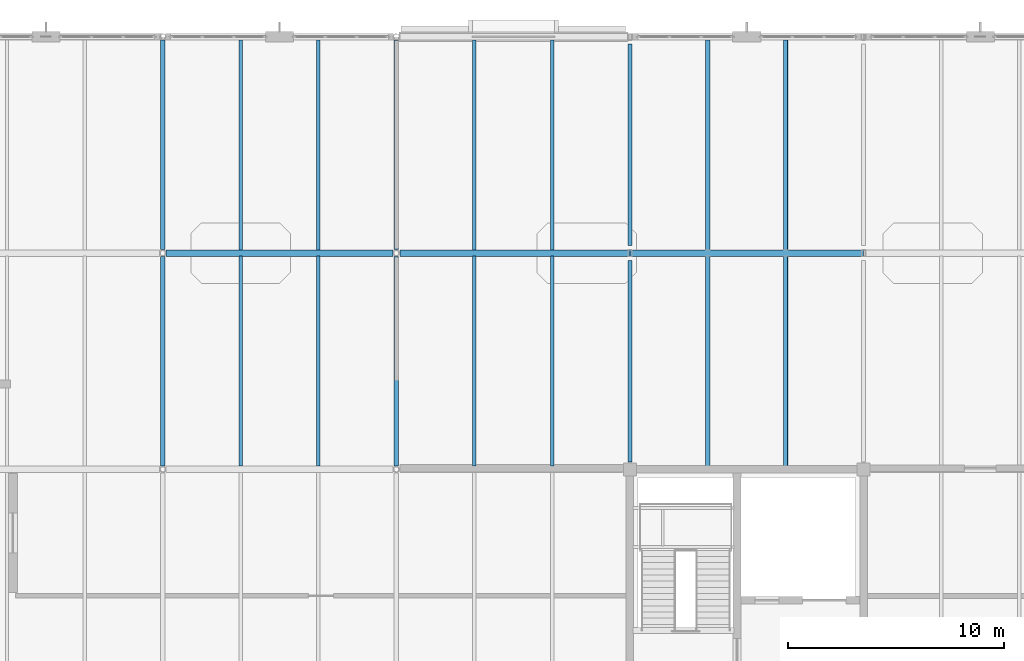
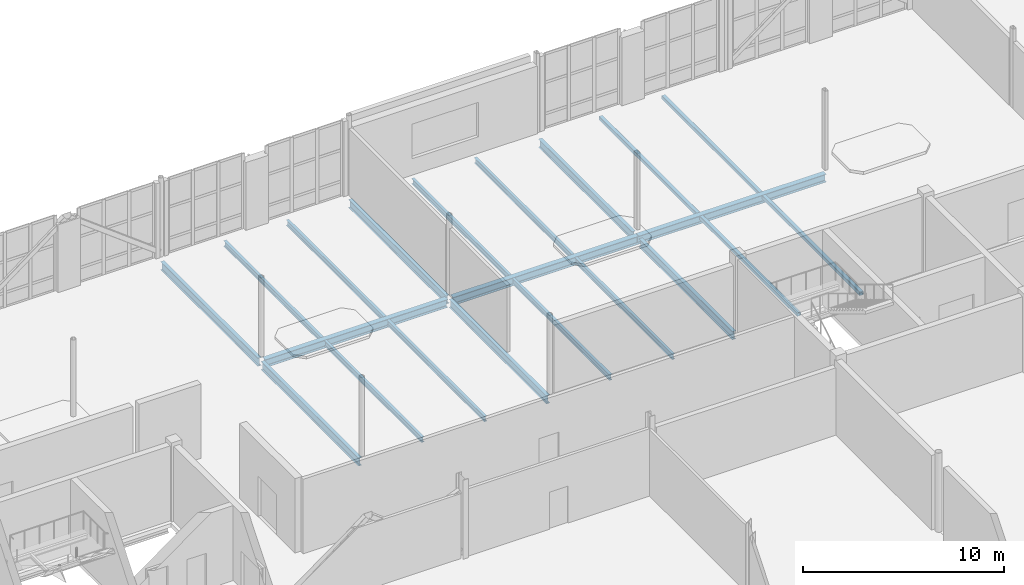
# One storey, part 46 of 100: 21 beams.
"""IFC4 building model written with IfcOpenShell, lengths in metres."""

from ifc_helpers import new_model, si_unit, direction, frame, origin, origin_2d, place, context, subcontext, project, spatial, hollow_rectangle, i_section, extrude, material, material_profile, profile_set, type_object, element, save


model = new_model("IFC4")

# Units and contexts
model_context = context("Model", 3, precision=1e-05, world=origin(), true_north=direction((0.0, 1.0)))
body_context = subcontext(model_context, "Body", "Model", "MODEL_VIEW")
ifc_project = project(units=[si_unit("LENGTHUNIT", "METRE"), si_unit("AREAUNIT", "SQUARE_METRE"), si_unit("VOLUMEUNIT", "CUBIC_METRE"), si_unit("PLANEANGLEUNIT", "RADIAN"), si_unit("MASSUNIT", "GRAM", prefix="KILO")], contexts=[model_context])

# Site, building, storey
site_placement = place(None, origin())
site = spatial("IfcSite", under=ifc_project, at=site_placement, CompositionType="ELEMENT")
building_placement = place(site_placement, origin())
building = spatial("IfcBuilding", under=site, at=building_placement, Name="Tasgan Crest Museum", CompositionType="ELEMENT")
storey_placement = place(building_placement, frame((0.0, 0.0, 9.60009765625)))
storey = spatial("IfcBuildingStorey", under=building, at=storey_placement, Name="L02", CompositionType="ELEMENT", Elevation=9.60009765625)

# Beams
ifc_material_1 = material(Name="Steel S355J2", Category="steel")
ifc_material_profile_1 = material_profile(ifc_material_1, i_section(OverallWidth=0.300048828125, OverallDepth=0.489990234375, WebThickness=0.011962890625, FlangeThickness=0.02294921875, FilletRadius=0.027099609375, at=origin_2d()), Name="HEA 500")
ifc_profile_set_1 = profile_set([ifc_material_profile_1], Name="Steel S355J2")
beam_type_1 = type_object("IfcBeamType", Name="BM-G-HEA500", PredefinedType="BEAM", material=ifc_profile_set_1)
beam_1_placement = place(storey_placement, frame((32.557861328125, 102.0, -0.485107421875), z_axis=(1.0, 0.0, 0.0), x_axis=(0.0, 1.0, 0.0)))
element("IfcBeam", 1, at=beam_1_placement, inside=storey, type_object=beam_type_1, Name="Girder L02 L 32.4-43.2", PredefinedType="BEAM", context=body_context, shape_type="SweptSolid", body=[
    extrude(i_section(OverallWidth=0.300048828125, OverallDepth=0.489990234375, WebThickness=0.011962890625, FlangeThickness=0.02294921875, FilletRadius=0.027099609375, at=origin_2d()), origin(), (0.0, 0.0, 1.0), 10.484130859375),
])
beam_2_placement = place(storey_placement, frame((43.35791015625, 102.0, -0.485107421875), z_axis=(1.0, 0.0, 0.0), x_axis=(0.0, 1.0, 0.0)))
element("IfcBeam", 2, at=beam_2_placement, inside=storey, type_object=beam_type_1, Name="Girder L02 L 43.2-54.0", PredefinedType="BEAM", context=body_context, shape_type="SweptSolid", body=[
    extrude(i_section(OverallWidth=0.300048828125, OverallDepth=0.489990234375, WebThickness=0.011962890625, FlangeThickness=0.02294921875, FilletRadius=0.027099609375, at=origin_2d()), origin(), (0.0, 0.0, 1.0), 10.63671875),
])
beam_3_placement = place(storey_placement, frame((54.00537109375, 102.0, -0.485107421875), z_axis=(1.0, 0.0, 0.0), x_axis=(0.0, 1.0, 0.0)))
element("IfcBeam", 3, at=beam_3_placement, inside=storey, type_object=beam_type_1, Name="Girder L02 L 54.0-64.8", PredefinedType="BEAM", context=body_context, shape_type="SweptSolid", body=[
    extrude(i_section(OverallWidth=0.300048828125, OverallDepth=0.489990234375, WebThickness=0.011962890625, FlangeThickness=0.02294921875, FilletRadius=0.027099609375, at=origin_2d()), origin(), (0.0, 0.0, 1.0), 10.789306640625),
])
ifc_material_2 = material(Name="Steel S355J2", Category="steel")
ifc_material_profile_2 = material_profile(ifc_material_2, i_section(OverallWidth=0.199951171875, OverallDepth=0.5, WebThickness=0.01025390625, FlangeThickness=0.01611328125, FilletRadius=0.02099609375, at=origin_2d()), Name="IPE 500")
ifc_profile_set_2 = profile_set([ifc_material_profile_2], Name="Steel S355J2")
beam_type_2 = type_object("IfcBeamType", Name="BM-G-IPE500", PredefinedType="BEAM", material=ifc_profile_set_2)
for number, where, z_axis, x_axis, name in (
    (4, (32.39990234375, 92.156982421875, -0.489990234375), (0.0, 1.0, 0.0), (-1.0, 0.0, 0.0), "Beam L02 4 92.0-102.0"),
    (5, (32.39990234375, 102.156982421875, -0.489990234375), (0.0, 1.0, 0.0), (-1.0, 0.0, 0.0), "Beam L02 4 102.0-112.0"),
    (6, (43.199951171875, 92.156982421875, -0.489990234375), (0.0, 1.0, 0.0), (-1.0, 0.0, 0.0), "Beam L02 5 92.0-102.0"),
    (7, (43.199951171875, 102.156982421875, -0.489990234375), (0.0, 1.0, 0.0), (-1.0, 0.0, 0.0), "Beam L02 5 102.0-112.0"),
):
    element("IfcBeam", number, at=place(storey_placement, frame(where, z_axis=z_axis, x_axis=x_axis)), inside=storey, type_object=beam_type_2, Name=name, PredefinedType="BEAM", context=body_context, shape_type="SweptSolid", body=[
        extrude(i_section(OverallWidth=0.199951171875, OverallDepth=0.5, WebThickness=0.01025390625, FlangeThickness=0.01611328125, FilletRadius=0.02099609375, at=origin_2d()), origin(), (0.0, 0.0, 1.0), 9.68603515625),
    ])
beam_4_placement = place(storey_placement, frame((54.0, 92.344970703125, -0.489990234375), z_axis=(0.0, 1.0, 0.0), x_axis=(-1.0, 0.0, 0.0)))
element("IfcBeam", 8, at=beam_4_placement, inside=storey, type_object=beam_type_2, Name="Beam L02 6 92.0-102.0", PredefinedType="BEAM", context=body_context, shape_type="SweptSolid", body=[
    extrude(i_section(OverallWidth=0.199951171875, OverallDepth=0.5, WebThickness=0.01025390625, FlangeThickness=0.01611328125, FilletRadius=0.02099609375, at=origin_2d()), origin(), (0.0, 0.0, 1.0), 9.31494140625),
])
beam_5_placement = place(storey_placement, frame((54.0, 102.340087890625, -0.489990234375), z_axis=(0.0, 1.0, 0.0), x_axis=(-1.0, 0.0, 0.0)))
element("IfcBeam", 9, at=beam_5_placement, inside=storey, type_object=beam_type_2, Name="Beam L02 6 102.0-112.0", PredefinedType="BEAM", context=body_context, shape_type="SweptSolid", body=[
    extrude(i_section(OverallWidth=0.199951171875, OverallDepth=0.5, WebThickness=0.01025390625, FlangeThickness=0.01611328125, FilletRadius=0.02099609375, at=origin_2d()), origin(), (0.0, 0.0, 1.0), 9.31982421875),
])
ifc_material_3 = material(Name="Steel S355J2", Category="steel")
ifc_material_profile_3 = material_profile(ifc_material_3, i_section(OverallWidth=0.159912109375, OverallDepth=0.330078125, WebThickness=0.007568359375, FlangeThickness=0.011474609375, FilletRadius=0.01806640625, at=origin_2d()), Name="IPE 330")
ifc_profile_set_3 = profile_set([ifc_material_profile_3], Name="Steel S355J2")
beam_type_3 = type_object("IfcBeamType", Name="BM-J-IPE330", PredefinedType="JOIST", material=ifc_profile_set_3)
for number, where, z_axis, x_axis, name in (
    (10, (36.0, 92.14501953125, -0.405029296875), (0.0, 1.0, 0.0), (-1.0, 0.0, 0.0), "Secondary joist L02 X=36.0 Y=92.0-102.0"),
    (11, (39.60009765625, 92.14501953125, -0.405029296875), (0.0, 1.0, 0.0), (-1.0, 0.0, 0.0), "Secondary joist L02 X=39.6 Y=92.0-102.0"),
    (12, (36.0, 102.14501953125, -0.405029296875), (0.0, 1.0, 0.0), (-1.0, 0.0, 0.0), "Secondary joist L02 X=36.0 Y=102.0-112.0"),
    (13, (39.60009765625, 102.14501953125, -0.405029296875), (0.0, 1.0, 0.0), (-1.0, 0.0, 0.0), "Secondary joist L02 X=39.6 Y=102.0-112.0"),
    (14, (46.800048828125, 92.14501953125, -0.405029296875), (0.0, 1.0, 0.0), (-1.0, 0.0, 0.0), "Secondary joist L02 X=46.8 Y=92.0-102.0"),
    (15, (50.39990234375, 92.14501953125, -0.405029296875), (0.0, 1.0, 0.0), (-1.0, 0.0, 0.0), "Secondary joist L02 X=50.4 Y=92.0-102.0"),
    (16, (46.800048828125, 102.14501953125, -0.405029296875), (0.0, 1.0, 0.0), (-1.0, 0.0, 0.0), "Secondary joist L02 X=46.8 Y=102.0-112.0"),
    (17, (50.39990234375, 102.14501953125, -0.405029296875), (0.0, 1.0, 0.0), (-1.0, 0.0, 0.0), "Secondary joist L02 X=50.4 Y=102.0-112.0"),
):
    element("IfcBeam", number, at=place(storey_placement, frame(where, z_axis=z_axis, x_axis=x_axis)), inside=storey, type_object=beam_type_3, Name=name, PredefinedType="JOIST", context=body_context, shape_type="SweptSolid", body=[
        extrude(i_section(OverallWidth=0.159912109375, OverallDepth=0.330078125, WebThickness=0.007568359375, FlangeThickness=0.011474609375, FilletRadius=0.01806640625, at=origin_2d()), origin(), (0.0, 0.0, 1.0), 9.7099609375),
    ])
ifc_material_4 = material(Name="Steel S355J2", Category="steel")
ifc_material_profile_4 = material_profile(ifc_material_4, hollow_rectangle(XDim=0.219970703125, YDim=0.219970703125, WallThickness=0.012451171875, InnerFilletRadius=0.012451171875, OuterFilletRadius=0.02490234375, at=origin_2d()), Name="SHS 220x220x12.5")
ifc_profile_set_4 = profile_set([ifc_material_profile_4], Name="Steel S355J2")
beam_type_4 = type_object("IfcBeamType", Name="BM-J-SHS220", PredefinedType="JOIST", material=ifc_profile_set_4)
for number, where, z_axis, x_axis, name in (
    (18, (57.60009765625, 92.14501953125, -0.35009765625), (0.0, 1.0, 0.0), (-1.0, 0.0, 0.0), "Secondary joist L02 X=57.6 Y=92.0-102.0"),
    (19, (61.199951171875, 92.14501953125, -0.35009765625), (0.0, 1.0, 0.0), (-1.0, 0.0, 0.0), "Secondary joist L02 X=61.2 Y=92.0-102.0"),
    (20, (57.60009765625, 102.14501953125, -0.35009765625), (0.0, 1.0, 0.0), (-1.0, 0.0, 0.0), "Secondary joist L02 X=57.6 Y=102.0-112.0"),
    (21, (61.199951171875, 102.14501953125, -0.35009765625), (0.0, 1.0, 0.0), (-1.0, 0.0, 0.0), "Secondary joist L02 X=61.2 Y=102.0-112.0"),
):
    element("IfcBeam", number, at=place(storey_placement, frame(where, z_axis=z_axis, x_axis=x_axis)), inside=storey, type_object=beam_type_4, Name=name, PredefinedType="JOIST", context=body_context, shape_type="SweptSolid", body=[
        extrude(hollow_rectangle(XDim=0.219970703125, YDim=0.219970703125, WallThickness=0.012451171875, InnerFilletRadius=0.012451171875, OuterFilletRadius=0.02490234375, at=origin_2d()), origin(), (0.0, 0.0, 1.0), 9.7099609375),
    ])

save(model, "model.ifc")
